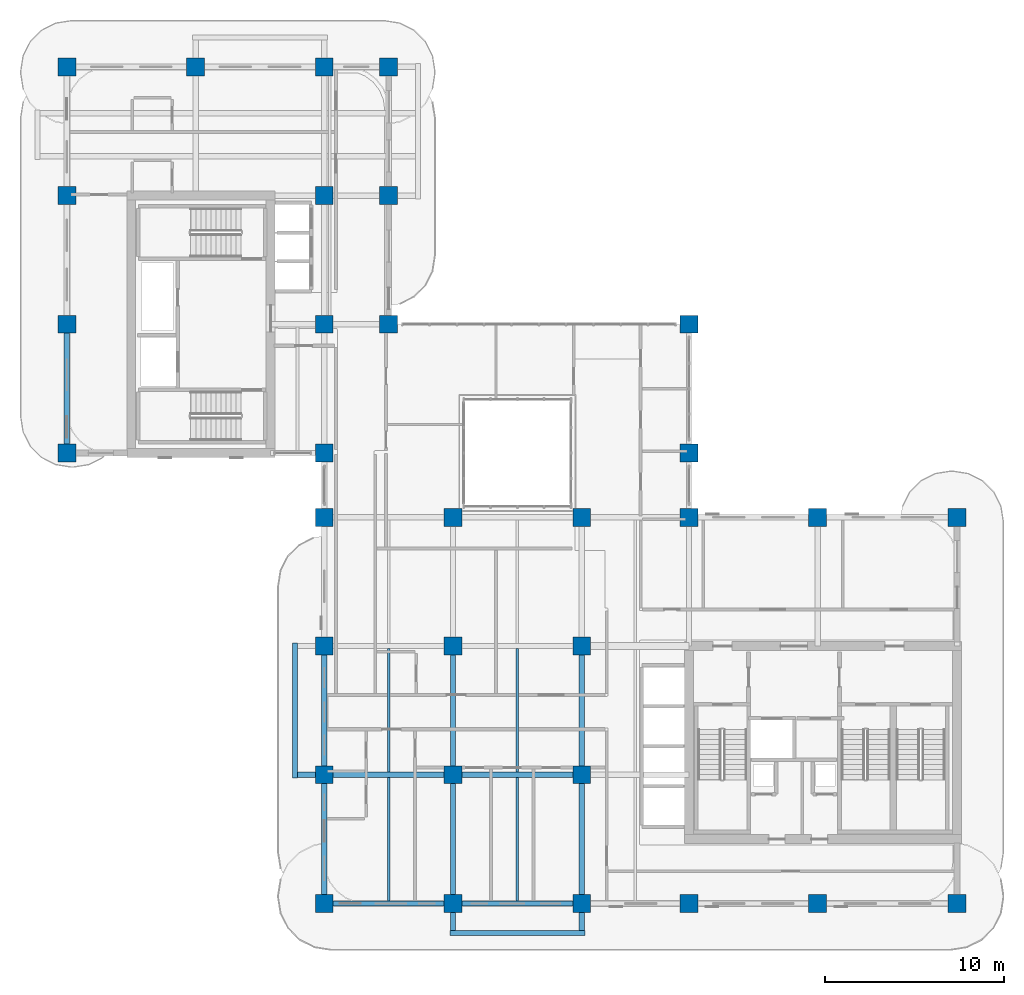
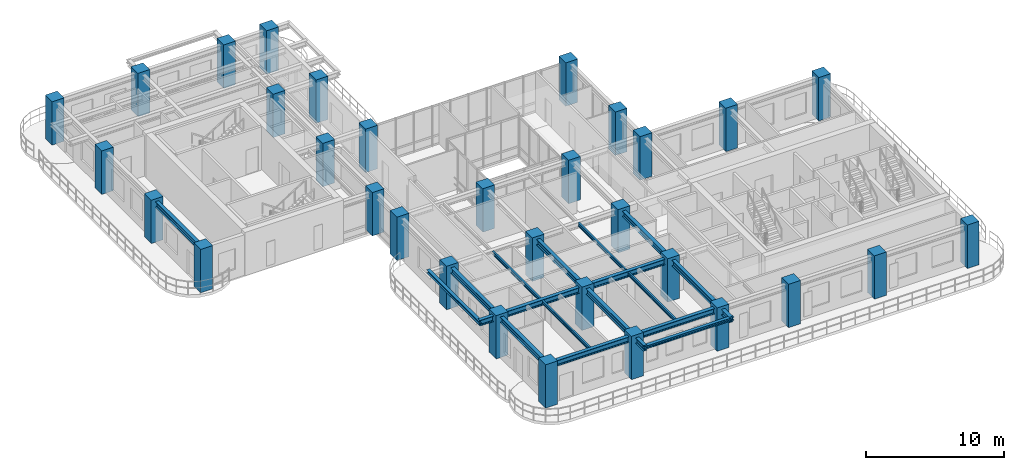
# One storey, part 1 of 20: 32 columns, 17 beams.
"""IFC4 building model written with IfcOpenShell, lengths in metres."""

import ifcopenshell
import ifcopenshell.guid

model = None  # the IFC model being written
_history = None  # IfcOwnerHistory: only IFC2X3 demands one
_inside = {}  # id of a spatial element -> (the spatial element, [elements in it])
_under = {}  # id of a project, library or spatial element -> (it, [spatial elements below it])
_declared = {}  # id of a project -> (the project, [libraries it declares])
_typed = {}  # id of a type object -> (the type object, [elements of that type])
_made_of = {}  # id of a material, layer set ... -> (it, [elements and type objects made of it])


def new_model(schema):
    """Start an empty IFC model of exactly this schema.

    Asked for "IFC4X3", IfcOpenShell would pick the latest addendum, in which some entities
    have other attributes; the version numbers below select the first issue.
    IFC2X3 requires an IfcOwnerHistory on every rooted entity: one is made here for all.
    """
    global model, _history
    if schema == "IFC4X3":
        model = ifcopenshell.file(schema_version=(4, 3, 0, 0))
    else:
        model = ifcopenshell.file(schema=schema)
    _inside.clear()
    _under.clear()
    _declared.clear()
    _typed.clear()
    _made_of.clear()
    _history = None
    if model.schema == "IFC2X3":
        org = make("IfcOrganization", Name="unknown")
        user = make(
            "IfcPersonAndOrganization",
            ThePerson=make("IfcPerson", FamilyName="unknown"),
            TheOrganization=org,
        )
        app = make(
            "IfcApplication",
            ApplicationDeveloper=org,
            Version="unknown",
            ApplicationFullName="unknown",
            ApplicationIdentifier="unknown",
        )
        _history = make(
            "IfcOwnerHistory",
            OwningUser=user,
            OwningApplication=app,
            ChangeAction="ADDED",
            CreationDate=0,
        )
    return model


def make(cls, **values):
    """One entity of the class cls with the attributes given. An attribute that is None is left unset."""
    return model.create_entity(
        cls, **{name: value for name, value in values.items() if value is not None}
    )


def rooted(cls, **values):
    """An entity with a GlobalId (a new one), such as an element, a storey or a relation."""
    return make(cls, GlobalId=ifcopenshell.guid.new(), OwnerHistory=_history, **values)


def si_unit(unit_type, name, prefix=None):
    """IfcSIUnit, for example si_unit("LENGTHUNIT", "METRE", prefix="MILLI")."""
    return make("IfcSIUnit", UnitType=unit_type, Prefix=prefix, Name=name)


def derived_unit(unit_type, elements):
    """IfcDerivedUnit: a product of units, each with its exponent."""
    return make(
        "IfcDerivedUnit",
        Elements=[
            make("IfcDerivedUnitElement", Unit=unit, Exponent=power)
            for unit, power in elements
        ],
        UnitType=unit_type,
    )


def assignment(units):
    """IfcUnitAssignment: the units of a project."""
    return None if units is None else make("IfcUnitAssignment", Units=units)


def point(xyz):
    """IfcCartesianPoint."""
    return None if xyz is None else make("IfcCartesianPoint", Coordinates=xyz)


def direction(xyz):
    """IfcDirection."""
    return None if xyz is None else make("IfcDirection", DirectionRatios=xyz)


def frame(location, z_axis=None, x_axis=None):
    """IfcAxis2Placement3D, a coordinate frame: its origin and axes. An axis left out is left unset."""
    return make(
        "IfcAxis2Placement3D",
        Location=point(location),
        Axis=direction(z_axis),
        RefDirection=direction(x_axis),
    )


def frame_2d(location, x_axis=None):
    """IfcAxis2Placement2D, a coordinate frame in the plane: its origin and x axis."""
    return make(
        "IfcAxis2Placement2D", Location=point(location), RefDirection=direction(x_axis)
    )


def origin():
    """The frame at (0, 0, 0) with its axes left unset."""
    return frame((0.0, 0.0, 0.0))


def origin_2d():
    """The frame at (0, 0) in the plane with its x axis left unset."""
    return frame_2d((0.0, 0.0))


def place(relative_to, where):
    """IfcLocalPlacement: puts the frame where relative to a parent placement (None: the world)."""
    return make(
        "IfcLocalPlacement", PlacementRelTo=relative_to, RelativePlacement=where
    )


def context(
    kind, dimensions, precision=None, world=None, true_north=None, identifier=None
):
    """IfcGeometricRepresentationContext, for example the 3D "Model" context."""
    return make(
        "IfcGeometricRepresentationContext",
        ContextIdentifier=identifier,
        ContextType=kind,
        CoordinateSpaceDimension=dimensions,
        Precision=precision,
        WorldCoordinateSystem=world,
        TrueNorth=true_north,
    )


def subcontext(parent, identifier, kind, view, scale=None):
    """IfcGeometricRepresentationSubContext, for example "Body" below "Model"."""
    return make(
        "IfcGeometricRepresentationSubContext",
        ContextIdentifier=identifier,
        ContextType=kind,
        ParentContext=parent,
        TargetScale=scale,
        TargetView=view,
    )


def project(units=None, contexts=None):
    """IfcProject with its units and contexts."""
    return rooted(
        "IfcProject",
        Name="project",
        RepresentationContexts=contexts,
        UnitsInContext=assignment(units),
    )


def spatial(cls, under=None, at=None, **own):
    """A site, building, storey or space (cls), placed at a placement, below another one or the project."""
    s = rooted(cls, ObjectPlacement=at, **own)
    if under is not None:
        _under.setdefault(under.id(), (under, []))[1].append(s)
    return s


def profile(cls, at=None, kind="AREA", **sizes):
    """A parametric profile (cls). Its sizes go by their IFC names, for example OverallWidth=200.0."""
    return make(cls, ProfileType=kind, Position=at, **sizes)


def rectangle(**sizes):
    """IfcRectangleProfileDef."""
    return profile("IfcRectangleProfileDef", **sizes)


def i_section(**sizes):
    """IfcIShapeProfileDef."""
    return profile("IfcIShapeProfileDef", **sizes)


def extrude(swept, where, along, depth):
    """IfcExtrudedAreaSolid: the profile swept, set in the frame where, extruded along a direction by depth."""
    return make(
        "IfcExtrudedAreaSolid",
        SweptArea=swept,
        Position=where,
        ExtrudedDirection=direction(along),
        Depth=depth,
    )


def shape(context_of_items, identifier, shape_type, items):
    """IfcShapeRepresentation: the items that make up one representation, for example the "Body"."""
    return make(
        "IfcShapeRepresentation",
        ContextOfItems=context_of_items,
        RepresentationIdentifier=identifier,
        RepresentationType=shape_type,
        Items=items,
    )


def source(mapping_origin, context_of_items, identifier, shape_type, items):
    """IfcRepresentationMap: a shape defined once, which mapped items show again and again."""
    return make(
        "IfcRepresentationMap",
        MappingOrigin=mapping_origin,
        MappedRepresentation=shape(context_of_items, identifier, shape_type, items),
    )


def transform(
    local_origin,
    x_axis=None,
    y_axis=None,
    z_axis=None,
    scale=None,
    scale2=None,
    scale3=None,
    uniform=True,
):
    """IfcCartesianTransformationOperator3D, or its non-uniform kind. x_axis, y_axis, z_axis: its Axis1, 2, 3."""
    if uniform:
        return make(
            "IfcCartesianTransformationOperator3D",
            Axis1=direction(x_axis),
            Axis2=direction(y_axis),
            LocalOrigin=point(local_origin),
            Scale=scale,
            Axis3=direction(z_axis),
        )
    return make(
        "IfcCartesianTransformationOperator3DnonUniform",
        Axis1=direction(x_axis),
        Axis2=direction(y_axis),
        LocalOrigin=point(local_origin),
        Scale=scale,
        Axis3=direction(z_axis),
        Scale2=scale2,
        Scale3=scale3,
    )


def mapped(mapping_source, mapping_target):
    """IfcMappedItem: shows the shape of a source again, moved by a transform."""
    return make(
        "IfcMappedItem", MappingSource=mapping_source, MappingTarget=mapping_target
    )


def material(Name=None, Category=None):
    """IfcMaterial."""
    return make("IfcMaterial", Name=Name, Category=Category)


def material_profile(
    of_material, cross_section, Name=None, Category=None, Priority=None
):
    """IfcMaterialProfile: a cross section and its material."""
    return make(
        "IfcMaterialProfile",
        Name=Name,
        Material=of_material,
        Profile=cross_section,
        Priority=Priority,
        Category=Category,
    )


def profile_set(profiles, Name=None, composite=None):
    """IfcMaterialProfileSet."""
    return make(
        "IfcMaterialProfileSet",
        Name=Name,
        MaterialProfiles=profiles,
        CompositeProfile=composite,
    )


def made_of(thing, what):
    """Note that an element or type object is made of a material, layer set ...; save() writes the relation."""
    if what is not None:
        _made_of.setdefault(what.id(), (what, []))[1].append(thing)
    return thing


def type_object(cls, material=None, **own):
    """A type object (cls), such as IfcWallType, which elements share."""
    return made_of(rooted(cls, **own), material)


def type_shapes(of_type, sources):
    """Give a type object the sources (RepresentationMaps) that its elements show as mapped items."""
    of_type.RepresentationMaps = sources


def element(
    cls,
    number,
    at=None,
    inside=None,
    cuts=None,
    type_object=None,
    material=None,
    context=None,
    identifier="Body",
    shape_type=None,
    held_by="IfcProductDefinitionShape",
    body=None,
    shapes=None,
    **own,
):
    """One element of the class cls, such as IfcWall. Its Tag is "e" and its number.

    at: its placement. inside: the storey or other place that contains it. cuts: it is an
    opening in that element (IfcRelVoidsElement). A single representation is given by context,
    identifier, shape_type and body (its items); several are given by shapes. held_by: the class
    of the entity that holds the representations. save() writes the other relations.
    """
    e = rooted(cls, Tag="e%d" % number, ObjectPlacement=at, **own)
    if body is not None:
        shapes = [shape(context, identifier, shape_type, body)]
    if shapes is not None:
        e.Representation = make(held_by, Representations=shapes)
    if inside is not None:
        _inside.setdefault(inside.id(), (inside, []))[1].append(e)
    if cuts is not None:
        rooted(
            "IfcRelVoidsElement", RelatingBuildingElement=cuts, RelatedOpeningElement=e
        )
    if type_object is not None:
        _typed.setdefault(type_object.id(), (type_object, []))[1].append(e)
    return made_of(e, material)


def aggregate(whole, parts):
    """IfcRelAggregates: a whole, such as a stair, and the parts it consists of."""
    return rooted("IfcRelAggregates", RelatingObject=whole, RelatedObjects=parts)


def save(model, path):
    """Write the relations noted so far, then the file.

    IfcRelAggregates (storeys below a building ...), IfcRelContainedInSpatialStructure (elements
    in a storey), IfcRelDefinesByType, IfcRelAssociatesMaterial and IfcRelDeclares: one each for
    every whole, place, type object, material and project.
    """
    for whole, parts in _under.values():
        aggregate(whole, parts)
    for where, things in _inside.values():
        rooted(
            "IfcRelContainedInSpatialStructure",
            RelatedElements=things,
            RelatingStructure=where,
        )
    for kind, things in _typed.values():
        rooted("IfcRelDefinesByType", RelatedObjects=things, RelatingType=kind)
    for what, things in _made_of.values():
        rooted("IfcRelAssociatesMaterial", RelatedObjects=things, RelatingMaterial=what)
    for by, libraries in _declared.values():
        rooted("IfcRelDeclares", RelatingContext=by, RelatedDefinitions=libraries)
    model.write(path)


model = new_model("IFC4")

# Units and contexts
model_context = context("Model", 3, precision=1e-05, world=origin(), true_north=direction((0.0, 1.0)))
body_context = subcontext(model_context, "Body", "Model", "MODEL_VIEW")
ifc_project = project(units=[si_unit("LENGTHUNIT", "METRE"), si_unit("AREAUNIT", "SQUARE_METRE"), si_unit("VOLUMEUNIT", "CUBIC_METRE"), si_unit("PLANEANGLEUNIT", "RADIAN"), si_unit("MASSUNIT", "GRAM", prefix="KILO"), si_unit("THERMODYNAMICTEMPERATUREUNIT", "KELVIN"), si_unit("POWERUNIT", "WATT"), derived_unit("THERMALTRANSMITTANCEUNIT", [(si_unit("POWERUNIT", "WATT"), 1), (si_unit("AREAUNIT", "SQUARE_METRE"), -1), (si_unit("THERMODYNAMICTEMPERATUREUNIT", "KELVIN"), -1)])], contexts=[model_context])

# Site, building, storey
site_placement = place(None, origin())
site = spatial("IfcSite", under=ifc_project, at=site_placement, CompositionType="ELEMENT")
building_placement = place(site_placement, origin())
building = spatial("IfcBuilding", under=site, at=building_placement, Name="Zahravan Archway Hotel and Residences", CompositionType="ELEMENT")
storey_placement = place(building_placement, frame((0.0, 0.0, 177.25)))
storey = spatial("IfcBuildingStorey", under=building, at=storey_placement, Name="L44", CompositionType="ELEMENT", Elevation=177.25)

# Columns
ifc_material_1 = material(Name="Concrete C60/75", Category="concrete")
ifc_material_profile_1 = material_profile(ifc_material_1, rectangle(XDim=1.0, YDim=1.0, at=origin_2d()), Name="RC-COL-1000x1000", Category="concrete")
ifc_profile_set_1 = profile_set([ifc_material_profile_1], Name="Concrete C60/75")
column_type = type_object("IfcColumnType", Name="COL-RC-1000", PredefinedType="COLUMN", material=ifc_profile_set_1)
shared_shape_1 = source(origin(), body_context, "Body", "SweptSolid", [
    extrude(rectangle(XDim=1.0, YDim=1.0, at=origin_2d()), origin(), (0.0, 0.0, 1.0), 3.85009765625),
])
for number, where, z_axis, x_axis, name in (
    (1, (0.0, 25.199951171875, 0.0), (0.0, 0.0, 1.0), (1.0, 0.0, 0.0), "L44 Column 1-E"),
    (2, (0.0, 32.39990234375, 0.0), (0.0, 0.0, 1.0), (1.0, 0.0, 0.0), "L44 Column 1-F"),
    (3, (0.0, 39.60009765625, 0.0), (0.0, 0.0, 1.0), (1.0, 0.0, 0.0), "L44 Column 1-G"),
    (4, (0.0, 46.800048828125, 0.0), (0.0, 0.0, 1.0), (1.0, 0.0, 0.0), "L44 Column 1-H"),
    (5, (7.199951171875, 46.800048828125, 0.0), (0.0, 0.0, 1.0), (1.0, 0.0, 0.0), "L44 Column 2-H"),
    (6, (14.39990234375, 0.0, 0.0), (0.0, 0.0, 1.0), (1.0, 0.0, 0.0), "L44 Column 3-A"),
    (7, (14.39990234375, 7.199951171875, 0.0), (0.0, 0.0, 1.0), (1.0, 0.0, 0.0), "L44 Column 3-B"),
    (8, (14.39990234375, 14.39990234375, 0.0), (0.0, 0.0, 1.0), (1.0, 0.0, 0.0), "L44 Column 3-C"),
    (9, (14.39990234375, 21.60009765625, 0.0), (0.0, 0.0, 1.0), (1.0, 0.0, 0.0), "L44 Column 3-D"),
    (10, (14.39990234375, 25.199951171875, 0.0), (0.0, 0.0, 1.0), (1.0, 0.0, 0.0), "L44 Column 3-E"),
    (11, (14.39990234375, 32.39990234375, 0.0), (0.0, 0.0, 1.0), (1.0, 0.0, 0.0), "L44 Column 3-F"),
    (12, (14.39990234375, 39.60009765625, 0.0), (0.0, 0.0, 1.0), (1.0, 0.0, 0.0), "L44 Column 3-G"),
    (13, (14.39990234375, 46.800048828125, 0.0), (0.0, 0.0, 1.0), (1.0, 0.0, 0.0), "L44 Column 3-H"),
    (14, (21.60009765625, 0.0, 0.0), (0.0, 0.0, 1.0), (1.0, 0.0, 0.0), "L44 Column 4-A"),
    (15, (21.60009765625, 7.199951171875, 0.0), (0.0, 0.0, 1.0), (1.0, 0.0, 0.0), "L44 Column 4-B"),
    (16, (21.60009765625, 14.39990234375, 0.0), (0.0, 0.0, 1.0), (1.0, 0.0, 0.0), "L44 Column 4-C"),
    (17, (21.60009765625, 21.60009765625, 0.0), (0.0, 0.0, 1.0), (1.0, 0.0, 0.0), "L44 Column 4-D"),
    (18, (28.800048828125, 0.0, 0.0), (0.0, 0.0, 1.0), (1.0, 0.0, 0.0), "L44 Column 5-A"),
    (19, (28.800048828125, 7.199951171875, 0.0), (0.0, 0.0, 1.0), (1.0, 0.0, 0.0), "L44 Column 5-B"),
    (20, (28.800048828125, 14.39990234375, 0.0), (0.0, 0.0, 1.0), (1.0, 0.0, 0.0), "L44 Column 5-C"),
    (21, (28.800048828125, 21.60009765625, 0.0), (0.0, 0.0, 1.0), (1.0, 0.0, 0.0), "L44 Column 5-D"),
    (22, (34.800048828125, 0.0, 0.0), (0.0, 0.0, 1.0), (1.0, 0.0, 0.0), "L44 Column 6-A"),
    (23, (34.800048828125, 21.60009765625, 0.0), (0.0, 0.0, 1.0), (1.0, 0.0, 0.0), "L44 Column 6-D"),
    (24, (34.800048828125, 25.199951171875, 0.0), (0.0, 0.0, 1.0), (1.0, 0.0, 0.0), "L44 Column 6-E"),
    (25, (34.800048828125, 32.39990234375, 0.0), (0.0, 0.0, 1.0), (1.0, 0.0, 0.0), "L44 Column 6-F"),
    (26, (42.0, 0.0, 0.0), (0.0, 0.0, 1.0), (1.0, 0.0, 0.0), "L44 Column 7-A"),
    (27, (42.0, 21.60009765625, 0.0), (0.0, 0.0, 1.0), (1.0, 0.0, 0.0), "L44 Column 7-D"),
    (28, (49.800048828125, 0.0, 0.0), (0.0, 0.0, 1.0), (1.0, 0.0, 0.0), "L44 Column 8-A"),
    (29, (49.800048828125, 21.60009765625, 0.0), (0.0, 0.0, 1.0), (1.0, 0.0, 0.0), "L44 Column 8-D"),
    (30, (18.0, 32.39990234375, 0.0), (0.0, 0.0, 1.0), (1.0, 0.0, 0.0), "L44 Column 3B-F"),
    (31, (18.0, 39.60009765625, 0.0), (0.0, 0.0, 1.0), (1.0, 0.0, 0.0), "L44 Column 3B-G"),
    (32, (18.0, 46.800048828125, 0.0), (0.0, 0.0, 1.0), (1.0, 0.0, 0.0), "L44 Column 3B-H"),
):
    element("IfcColumn", number, at=place(storey_placement, frame(where, z_axis=z_axis, x_axis=x_axis)), inside=storey, type_object=column_type, Name=name, PredefinedType="COLUMN", context=body_context, shape_type="MappedRepresentation", body=[
        mapped(shared_shape_1, transform((0.0, 0.0, 0.0), scale=1.0)),
    ])

# Beams
ifc_material_2 = material(Name="Structural Steel S355JR", Category="steel")
ifc_material_profile_2 = material_profile(ifc_material_2, i_section(OverallWidth=0.280029296875, OverallDepth=0.280029296875, WebThickness=0.010498046875, FlangeThickness=0.01806640625, FilletRadius=0.02392578125, at=origin_2d()), Name="HEB 280", Category="steel")
ifc_profile_set_2 = profile_set([ifc_material_profile_2], Name="Structural Steel S355JR")
beam_type_1 = type_object("IfcBeamType", Name="BM-SPN-HEB280", PredefinedType="SPANDREL", material=ifc_profile_set_2)
shared_shape_2 = source(origin(), body_context, "Body", "SweptSolid", [
    extrude(i_section(OverallWidth=0.280029296875, OverallDepth=0.280029296875, WebThickness=0.010498046875, FlangeThickness=0.01806640625, FilletRadius=0.02392578125, at=origin_2d()), origin(), (0.0, 0.0, 1.0), 7.56005859375),
])
type_shapes(beam_type_1, [shared_shape_2])
for number, where, z_axis, x_axis, name in (
    (33, (12.75, 7.02001953125, 3.4599609375), (0.0, 1.0, 0.0), (-1.0, 0.0, 0.0), "L45 WA Balcony Edge Spandrel"),
    (34, (21.419921875, -1.64990234375, 3.4599609375), (1.0, 0.0, 0.0), (0.0, 1.0, 0.0), "L45 SA Balcony Edge Spandrel"),
):
    element("IfcBeam", number, at=place(storey_placement, frame(where, z_axis=z_axis, x_axis=x_axis)), inside=storey, type_object=beam_type_1, Name=name, PredefinedType="SPANDREL", context=body_context, shape_type="MappedRepresentation", body=[
        mapped(shared_shape_2, transform((0.0, 0.0, 0.0), scale=1.0)),
    ])
ifc_material_profile_3 = material_profile(ifc_material_2, i_section(OverallWidth=0.300048828125, OverallDepth=0.5, WebThickness=0.014404296875, FlangeThickness=0.028076171875, FilletRadius=0.027099609375, at=origin_2d()), Name="HEB 500", Category="steel")
ifc_profile_set_3 = profile_set([ifc_material_profile_3], Name="Structural Steel S355JR")
beam_type_2 = type_object("IfcBeamType", Name="BM-PRI-HEB500", PredefinedType="BEAM", material=ifc_profile_set_3)
shared_shape_3 = source(origin(), body_context, "Body", "SweptSolid", [
    extrude(i_section(OverallWidth=0.300048828125, OverallDepth=0.5, WebThickness=0.014404296875, FlangeThickness=0.028076171875, FilletRadius=0.027099609375, at=origin_2d()), origin(), (0.0, 0.0, 1.0), 7.2001953125),
])
type_shapes(beam_type_2, [shared_shape_3])
beam_1_placement = place(storey_placement, frame((14.39990234375, 0.0, 3.35009765625), z_axis=(1.0, 0.0, 0.0), x_axis=(0.0, 1.0, 0.0)))
element("IfcBeam", 35, at=beam_1_placement, inside=storey, type_object=beam_type_2, Name="L44 Primary Girder EW-01", PredefinedType="BEAM", context=body_context, shape_type="MappedRepresentation", body=[
    mapped(shared_shape_3, transform((0.0, 0.0, 0.0), scale=1.0)),
])
shared_shape_4 = source(origin(), body_context, "Body", "SweptSolid", [
    extrude(i_section(OverallWidth=0.300048828125, OverallDepth=0.5, WebThickness=0.014404296875, FlangeThickness=0.028076171875, FilletRadius=0.027099609375, at=origin_2d()), origin(), (0.0, 0.0, 1.0), 7.199951171875),
])
for number, where, z_axis, x_axis, name in (
    (36, (21.60009765625, 0.0, 3.35009765625), (1.0, 0.0, 0.0), (0.0, 1.0, 0.0), "L44 Primary Girder EW-02"),
    (37, (21.60009765625, 7.199951171875, 3.35009765625), (1.0, 0.0, 0.0), (0.0, 1.0, 0.0), "L44 Primary Girder EW-07"),
    (38, (0.0, 25.199951171875, 3.35009765625), (0.0, 1.0, 0.0), (-1.0, 0.0, 0.0), "L44 Primary Girder NS-23"),
    (39, (14.39990234375, 0.0, 3.35009765625), (0.0, 1.0, 0.0), (-1.0, 0.0, 0.0), "L44 Primary Girder NS-27"),
    (40, (14.39990234375, 7.199951171875, 3.35009765625), (0.0, 1.0, 0.0), (-1.0, 0.0, 0.0), "L44 Primary Girder NS-28"),
    (41, (21.60009765625, 7.199951171875, 3.35009765625), (0.0, 1.0, 0.0), (-1.0, 0.0, 0.0), "L44 Primary Girder NS-35"),
    (42, (28.800048828125, 7.199951171875, 3.35009765625), (0.0, 1.0, 0.0), (-1.0, 0.0, 0.0), "L44 Primary Girder NS-38"),
):
    element("IfcBeam", number, at=place(storey_placement, frame(where, z_axis=z_axis, x_axis=x_axis)), inside=storey, type_object=beam_type_2, Name=name, PredefinedType="BEAM", context=body_context, shape_type="MappedRepresentation", body=[
        mapped(shared_shape_4, transform((0.0, 0.0, 0.0), scale=1.0)),
    ])
shared_shape_5 = source(origin(), body_context, "Body", "SweptSolid", [
    extrude(i_section(OverallWidth=0.300048828125, OverallDepth=0.5, WebThickness=0.014404296875, FlangeThickness=0.028076171875, FilletRadius=0.027099609375, at=origin_2d()), origin(), (0.0, 0.0, 1.0), 8.85009765625),
])
beam_2_placement = place(storey_placement, frame((12.75, 7.199951171875, 3.35009765625), z_axis=(1.0, 0.0, 0.0), x_axis=(0.0, 1.0, 0.0)))
element("IfcBeam", 43, at=beam_2_placement, inside=storey, type_object=beam_type_2, Name="L44 Primary Girder EW-06", PredefinedType="BEAM", context=body_context, shape_type="MappedRepresentation", body=[
    mapped(shared_shape_5, transform((0.0, 0.0, 0.0), scale=1.0)),
])
shared_shape_6 = source(origin(), body_context, "Body", "SweptSolid", [
    extrude(i_section(OverallWidth=0.300048828125, OverallDepth=0.5, WebThickness=0.014404296875, FlangeThickness=0.028076171875, FilletRadius=0.027099609375, at=origin_2d()), origin(), (0.0, 0.0, 1.0), 8.849853515625),
])
for number, where, z_axis, x_axis, name in (
    (44, (21.60009765625, -1.64990234375, 3.35009765625), (0.0, 1.0, 0.0), (-1.0, 0.0, 0.0), "L44 Primary Girder NS-34"),
    (45, (28.800048828125, -1.64990234375, 3.35009765625), (0.0, 1.0, 0.0), (-1.0, 0.0, 0.0), "L44 Primary Girder NS-37"),
):
    element("IfcBeam", number, at=place(storey_placement, frame(where, z_axis=z_axis, x_axis=x_axis)), inside=storey, type_object=beam_type_2, Name=name, PredefinedType="BEAM", context=body_context, shape_type="MappedRepresentation", body=[
        mapped(shared_shape_6, transform((0.0, 0.0, 0.0), scale=1.0)),
    ])
ifc_material_profile_4 = material_profile(ifc_material_2, i_section(OverallWidth=0.14990234375, OverallDepth=0.300048828125, WebThickness=0.007080078125, FlangeThickness=0.0107421875, FilletRadius=0.014892578125, at=origin_2d()), Name="IPE 300", Category="steel")
ifc_profile_set_4 = profile_set([ifc_material_profile_4], Name="Structural Steel S355JR")
beam_type_3 = type_object("IfcBeamType", Name="BM-JST-IPE300", PredefinedType="JOIST", material=ifc_profile_set_4)
shared_shape_7 = source(origin(), body_context, "Body", "SweptSolid", [
    extrude(i_section(OverallWidth=0.14990234375, OverallDepth=0.300048828125, WebThickness=0.007080078125, FlangeThickness=0.0107421875, FilletRadius=0.014892578125, at=origin_2d()), origin(), (0.0, 0.0, 1.0), 6.904052734375),
])
type_shapes(beam_type_3, [shared_shape_7])
for number, where, z_axis, x_axis, name in (
    (46, (18.0, 0.14794921875, 3.449951171875), (0.0, 1.0, 0.0), (-1.0, 0.0, 0.0), "L44 Composite Floor Joist 01"),
    (47, (25.199951171875, 0.14794921875, 3.449951171875), (0.0, 1.0, 0.0), (-1.0, 0.0, 0.0), "L44 Composite Floor Joist 02"),
    (48, (18.0, 7.347900390625, 3.449951171875), (0.0, 1.0, 0.0), (-1.0, 0.0, 0.0), "L44 Composite Floor Joist 04"),
    (49, (25.199951171875, 7.347900390625, 3.449951171875), (0.0, 1.0, 0.0), (-1.0, 0.0, 0.0), "L44 Composite Floor Joist 05"),
):
    element("IfcBeam", number, at=place(storey_placement, frame(where, z_axis=z_axis, x_axis=x_axis)), inside=storey, type_object=beam_type_3, Name=name, PredefinedType="JOIST", context=body_context, shape_type="MappedRepresentation", body=[
        mapped(shared_shape_7, transform((0.0, 0.0, 0.0), scale=1.0)),
    ])

save(model, "model.ifc")
